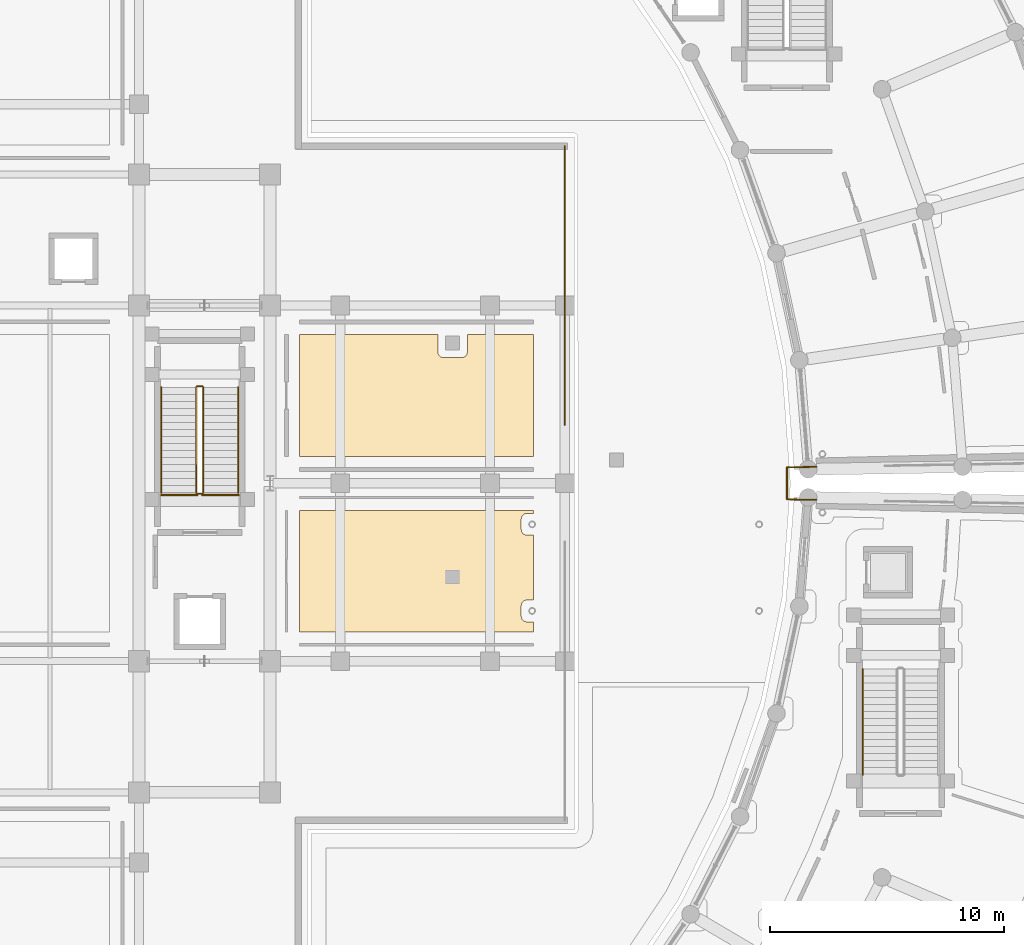
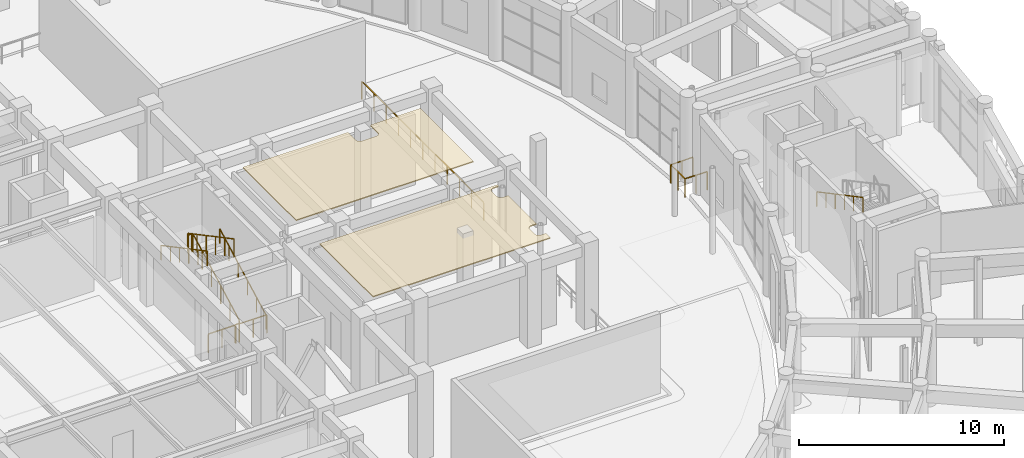
# One storey, part 92 of 99: 13 railings, 2 coverings.
"""IFC4 building model written with IfcOpenShell, lengths in metres."""

from ifc_helpers import new_model, si_unit, direction, frame, origin, origin_2d, place, context, subcontext, project, spatial, polyline, rectangle, outline, extrude, material, layer, layer_set, type_object, element, save


model = new_model("IFC4")

# Units and contexts
model_context = context("Model", 3, precision=1e-05, world=origin(), true_north=direction((0.0, 1.0)))
body_context = subcontext(model_context, "Body", "Model", "MODEL_VIEW")
ifc_project = project(units=[si_unit("LENGTHUNIT", "METRE"), si_unit("AREAUNIT", "SQUARE_METRE"), si_unit("VOLUMEUNIT", "CUBIC_METRE"), si_unit("PLANEANGLEUNIT", "RADIAN"), si_unit("MASSUNIT", "GRAM", prefix="KILO")], contexts=[model_context])

# Site, building, storey
site_placement = place(None, origin())
site = spatial("IfcSite", under=ifc_project, at=site_placement, CompositionType="ELEMENT")
building_placement = place(site_placement, origin())
building = spatial("IfcBuilding", under=site, at=building_placement, Name="Saryqyr Civic Hall", CompositionType="ELEMENT")
storey_placement = place(building_placement, origin())
storey = spatial("IfcBuildingStorey", under=building, at=storey_placement, Name="L00", CompositionType="ELEMENT", Elevation=0.0)

# Coverings
ifc_material_1 = material(Name="Mineral-fibre acoustic ceiling tile", Category="acoustic_tile")
ifc_layer_1 = layer(ifc_material_1, 0.06005859375, Name="Mineral-fibre acoustic ceiling tile")
ifc_layer_set_1 = layer_set([ifc_layer_1], Name="Mineral-fibre acoustic ceiling tile")
covering_type = type_object("IfcCoveringType", Name="INT-COV-CEIL-60", PredefinedType="CEILING", material=ifc_layer_set_1)
covering_1_placement = place(storey_placement, frame((0.0, 0.0, 4.760009765625)))
element("IfcCovering", 1, at=covering_1_placement, inside=storey, type_object=covering_type, Name="Acoustic ceiling Ground Floor Accessible MGN & Public WC V1", PredefinedType="CEILING", context=body_context, shape_type="SweptSolid", body=[
    extrude(outline(polyline([(81.18359375, 82.716552734375), (81.158935546875, 82.71533203125), (81.134765625, 82.711669921875), (81.11083984375, 82.705810546875), (81.087890625, 82.697509765625), (81.065673828125, 82.68701171875), (81.044677734375, 82.67431640625), (81.02490234375, 82.659912109375), (81.006591796875, 82.643310546875), (80.990234375, 82.625), (80.9755859375, 82.60546875), (80.962890625, 82.584228515625), (80.952392578125, 82.562255859375), (80.9443359375, 82.5390625), (80.938232421875, 82.515380859375), (80.934814453125, 82.490966796875), (80.93359375, 82.466552734375), (80.93359375, 82.033447265625), (80.934814453125, 82.009033203125), (80.938232421875, 81.984619140625), (80.9443359375, 81.9609375), (80.952392578125, 81.937744140625), (80.962890625, 81.915771484375), (80.9755859375, 81.89453125), (80.990234375, 81.875), (81.006591796875, 81.856689453125), (81.02490234375, 81.840087890625), (81.044677734375, 81.82568359375), (81.065673828125, 81.81298828125), (81.087890625, 81.802490234375), (81.11083984375, 81.794189453125), (81.134765625, 81.788330078125), (81.158935546875, 81.78466796875), (81.18359375, 81.783447265625), (81.449951171875, 81.783447265625), (81.449951171875, 79.0166015625), (81.18359375, 79.0166015625), (81.158935546875, 79.015380859375), (81.134765625, 79.01171875), (81.11083984375, 79.005615234375), (81.087890625, 78.99755859375), (81.065673828125, 78.987060546875), (81.044677734375, 78.974365234375), (81.02490234375, 78.959716796875), (81.006591796875, 78.943359375), (80.990234375, 78.925048828125), (80.9755859375, 78.905517578125), (80.962890625, 78.88427734375), (80.952392578125, 78.8623046875), (80.9443359375, 78.839111328125), (80.938232421875, 78.815185546875), (80.934814453125, 78.791015625), (80.93359375, 78.7666015625), (80.93359375, 78.33349609375), (80.934814453125, 78.30908203125), (80.938232421875, 78.28466796875), (80.9443359375, 78.260986328125), (80.952392578125, 78.23779296875), (80.962890625, 78.2158203125), (80.9755859375, 78.194580078125), (80.990234375, 78.1748046875), (81.006591796875, 78.15673828125), (81.02490234375, 78.14013671875), (81.044677734375, 78.12548828125), (81.065673828125, 78.113037109375), (81.087890625, 78.1025390625), (81.11083984375, 78.09423828125), (81.134765625, 78.08837890625), (81.158935546875, 78.084716796875), (81.18359375, 78.08349609375), (81.449951171875, 78.08349609375), (81.449951171875, 77.64990234375), (71.449951171875, 77.64990234375), (71.449951171875, 82.85009765625), (81.449951171875, 82.85009765625), (81.449951171875, 82.716552734375), (81.18359375, 82.716552734375)])), origin(), (0.0, 0.0, 1.0), 0.06005859375),
])
covering_2_placement = place(storey_placement, frame((0.0, 0.0, 4.760009765625)))
element("IfcCovering", 2, at=covering_2_placement, inside=storey, type_object=covering_type, Name="Acoustic ceiling First-Aid & Parent-Child Welfare Room", PredefinedType="CEILING", context=body_context, shape_type="SweptSolid", body=[
    extrude(outline(polyline([(77.37109375, 89.595458984375), (77.374755859375, 89.5712890625), (77.380859375, 89.54736328125), (77.388916015625, 89.5244140625), (77.3994140625, 89.502197265625), (77.412109375, 89.481201171875), (77.4267578125, 89.46142578125), (77.443115234375, 89.443115234375), (77.46142578125, 89.4267578125), (77.481201171875, 89.412109375), (77.502197265625, 89.3994140625), (77.5244140625, 89.388916015625), (77.54736328125, 89.380859375), (77.5712890625, 89.374755859375), (77.595458984375, 89.37109375), (77.6201171875, 89.3701171875), (78.3798828125, 89.3701171875), (78.404541015625, 89.37109375), (78.4287109375, 89.374755859375), (78.45263671875, 89.380859375), (78.4755859375, 89.388916015625), (78.497802734375, 89.3994140625), (78.518798828125, 89.412109375), (78.53857421875, 89.4267578125), (78.556884765625, 89.443115234375), (78.5732421875, 89.46142578125), (78.587890625, 89.481201171875), (78.6005859375, 89.502197265625), (78.611083984375, 89.5244140625), (78.619140625, 89.54736328125), (78.625244140625, 89.5712890625), (78.62890625, 89.595458984375), (78.6298828125, 89.6201171875), (78.6298828125, 90.35009765625), (81.449951171875, 90.35009765625), (81.449951171875, 85.14990234375), (71.449951171875, 85.14990234375), (71.449951171875, 90.35009765625), (77.3701171875, 90.35009765625), (77.3701171875, 89.6201171875), (77.37109375, 89.595458984375)])), origin(), (0.0, 0.0, 1.0), 0.06005859375),
])

# Railings
ifc_material_2 = material(Name="Warm brushed brass and laminated glass", Category="glass")
ifc_layer_2 = layer(ifc_material_2, 0.06005859375, Name="Warm brushed brass and laminated glass")
ifc_layer_set_2 = layer_set([ifc_layer_2], Name="Warm brushed brass and laminated glass")
railing_type_1 = type_object("IfcRailingType", Name="INT-RLG-BAL-1100", PredefinedType="BALUSTRADE", material=ifc_layer_set_2)
railing_1_placement = place(storey_placement, frame((82.800048828125, 86.5, 0.0)))
element("IfcRailing", 3, at=railing_1_placement, inside=storey, type_object=railing_type_1, Name="Perimeter safety balustrade V1-JNTGB-L00-08-G01", PredefinedType="BALUSTRADE", context=body_context, shape_type="SweptSolid", body=[
    extrude(rectangle(XDim=0.048095703125, YDim=0.048095703125, at=origin_2d()), frame((0.0, 0.0, 1.076171875), z_axis=(0.0, 1.0, 0.0), x_axis=(-1.0, 0.0, 0.0)), (0.0, 0.0, 1.0), 11.89990234375),
    extrude(rectangle(XDim=0.0419921875, YDim=0.0419921875, at=origin_2d()), origin(), (0.0, 0.0, 1.0), 1.052001953125),
    extrude(rectangle(XDim=0.0419921875, YDim=0.0419921875, at=origin_2d()), frame((0.0, 1.18994140625, 0.0)), (0.0, 0.0, 1.0), 1.052001953125),
    extrude(rectangle(XDim=0.0419921875, YDim=0.0419921875, at=origin_2d()), frame((0.0, 2.3798828125, 0.0)), (0.0, 0.0, 1.0), 1.052001953125),
    extrude(rectangle(XDim=0.0419921875, YDim=0.0419921875, at=origin_2d()), frame((0.0, 3.570068359375, 0.0)), (0.0, 0.0, 1.0), 1.052001953125),
    extrude(rectangle(XDim=0.0419921875, YDim=0.0419921875, at=origin_2d()), frame((0.0, 4.760009765625, 0.0)), (0.0, 0.0, 1.0), 1.052001953125),
    extrude(rectangle(XDim=0.0419921875, YDim=0.0419921875, at=origin_2d()), frame((0.0, 5.949951171875, 0.0)), (0.0, 0.0, 1.0), 1.052001953125),
    extrude(rectangle(XDim=0.0419921875, YDim=0.0419921875, at=origin_2d()), frame((0.0, 7.139892578125, 0.0)), (0.0, 0.0, 1.0), 1.052001953125),
    extrude(rectangle(XDim=0.0419921875, YDim=0.0419921875, at=origin_2d()), frame((0.0, 8.329833984375, 0.0)), (0.0, 0.0, 1.0), 1.052001953125),
    extrude(rectangle(XDim=0.0419921875, YDim=0.0419921875, at=origin_2d()), frame((0.0, 9.52001953125, 0.0)), (0.0, 0.0, 1.0), 1.052001953125),
    extrude(rectangle(XDim=0.0419921875, YDim=0.0419921875, at=origin_2d()), frame((0.0, 10.7099609375, 0.0)), (0.0, 0.0, 1.0), 1.052001953125),
    extrude(rectangle(XDim=0.0419921875, YDim=0.0419921875, at=origin_2d()), frame((0.0, 11.89990234375, 0.0)), (0.0, 0.0, 1.0), 1.052001953125),
])
railing_2_placement = place(storey_placement, frame((67.35009765625, 83.60009765625, 0.159423828125)))
element("IfcRailing", 4, at=railing_2_placement, inside=storey, type_object=railing_type_1, Name="L00 ST-2 stair guard 1", PredefinedType="BALUSTRADE", context=body_context, shape_type="SweptSolid", body=[
    extrude(rectangle(XDim=0.048095703125, YDim=0.048095703125, at=origin_2d()), frame((0.0, 0.0, 1.076171875), z_axis=(0.0, 0.883115719457, 0.469155225962), x_axis=(-1.0, 0.0, 0.0)), (0.0, 0.0, 1.0), 5.095703125),
    extrude(rectangle(XDim=0.0419921875, YDim=0.0419921875, at=origin_2d()), origin(), (0.0, 0.0, 1.0), 1.052001953125),
    extrude(rectangle(XDim=0.0419921875, YDim=0.0419921875, at=origin_2d()), frame((0.0, 0.89990234375, 0.47802734375)), (0.0, 0.0, 1.0), 1.052001953125),
    extrude(rectangle(XDim=0.0419921875, YDim=0.0419921875, at=origin_2d()), frame((0.0, 1.800048828125, 0.956298828125)), (0.0, 0.0, 1.0), 1.052001953125),
    extrude(rectangle(XDim=0.0419921875, YDim=0.0419921875, at=origin_2d()), frame((0.0, 2.699951171875, 1.434326171875)), (0.0, 0.0, 1.0), 1.052001953125),
    extrude(rectangle(XDim=0.0419921875, YDim=0.0419921875, at=origin_2d()), frame((0.0, 3.60009765625, 1.91259765625)), (0.0, 0.0, 1.0), 1.052001953125),
    extrude(rectangle(XDim=0.0419921875, YDim=0.0419921875, at=origin_2d()), frame((0.0, 4.5, 2.390625)), (0.0, 0.0, 1.0), 1.052001953125),
])
railing_3_placement = place(storey_placement, frame((67.300048828125, 88.14990234375, 2.550048828125)))
element("IfcRailing", 5, at=railing_3_placement, inside=storey, type_object=railing_type_1, Name="L00 ST-2 stair guard 2", PredefinedType="BALUSTRADE", context=body_context, shape_type="SweptSolid", body=[
    extrude(rectangle(XDim=0.048095703125, YDim=0.048095703125, at=origin_2d()), frame((0.0, 0.0, 1.076171875), z_axis=(-1.0, 0.0, 0.0), x_axis=(0.0, -1.0, 0.0)), (0.0, 0.0, 1.0), 0.199951171875),
    extrude(rectangle(XDim=0.0419921875, YDim=0.0419921875, at=origin_2d()), origin(), (0.0, 0.0, 1.0), 1.052001953125),
    extrude(rectangle(XDim=0.0419921875, YDim=0.0419921875, at=origin_2d()), frame((-0.199951171875, 0.0, 0.0)), (0.0, 0.0, 1.0), 1.052001953125),
])
railing_4_placement = place(storey_placement, frame((67.050048828125, 88.10009765625, 2.70947265625)))
element("IfcRailing", 6, at=railing_4_placement, inside=storey, type_object=railing_type_1, Name="L00 ST-2 stair guard 3", PredefinedType="BALUSTRADE", context=body_context, shape_type="SweptSolid", body=[
    extrude(rectangle(XDim=0.048095703125, YDim=0.048095703125, at=origin_2d()), frame((0.0, 0.0, 1.076171875), z_axis=(0.0, -0.883115719457, 0.469155225962), x_axis=(1.0, 0.0, 0.0)), (0.0, 0.0, 1.0), 5.095703125),
    extrude(rectangle(XDim=0.0419921875, YDim=0.0419921875, at=origin_2d()), origin(), (0.0, 0.0, 1.0), 1.052001953125),
    extrude(rectangle(XDim=0.0419921875, YDim=0.0419921875, at=origin_2d()), frame((0.0, -0.89990234375, 0.47802734375)), (0.0, 0.0, 1.0), 1.052001953125),
    extrude(rectangle(XDim=0.0419921875, YDim=0.0419921875, at=origin_2d()), frame((0.0, -1.800048828125, 0.956298828125)), (0.0, 0.0, 1.0), 1.052001953125),
    extrude(rectangle(XDim=0.0419921875, YDim=0.0419921875, at=origin_2d()), frame((0.0, -2.699951171875, 1.434326171875)), (0.0, 0.0, 1.0), 1.052001953125),
    extrude(rectangle(XDim=0.0419921875, YDim=0.0419921875, at=origin_2d()), frame((0.0, -3.60009765625, 1.91259765625)), (0.0, 0.0, 1.0), 1.052001953125),
    extrude(rectangle(XDim=0.0419921875, YDim=0.0419921875, at=origin_2d()), frame((0.0, -4.5, 2.390625)), (0.0, 0.0, 1.0), 1.052001953125),
])
railing_5_placement = place(storey_placement, frame((67.300048828125, 83.550048828125, 0.0)))
element("IfcRailing", 7, at=railing_5_placement, inside=storey, type_object=railing_type_1, Name="L00 ST-2 stair guard 4", PredefinedType="BALUSTRADE", context=body_context, shape_type="SweptSolid", body=[
    extrude(rectangle(XDim=0.048095703125, YDim=0.048095703125, at=origin_2d()), frame((0.0, 0.0, 1.076171875), z_axis=(-1.0, 0.0, 0.0), x_axis=(0.0, -1.0, 0.0)), (0.0, 0.0, 1.0), 0.199951171875),
    extrude(rectangle(XDim=0.0419921875, YDim=0.0419921875, at=origin_2d()), origin(), (0.0, 0.0, 1.0), 1.052001953125),
    extrude(rectangle(XDim=0.0419921875, YDim=0.0419921875, at=origin_2d()), frame((-0.199951171875, 0.0, 0.0)), (0.0, 0.0, 1.0), 1.052001953125),
])
railing_6_placement = place(storey_placement, frame((93.543701171875, 84.705810546875, 0.0)))
element("IfcRailing", 8, at=railing_6_placement, inside=storey, type_object=railing_type_1, Name="Interior deck safety balustrade L00-026", PredefinedType="BALUSTRADE", context=body_context, shape_type="SweptSolid", body=[
    extrude(rectangle(XDim=0.048095703125, YDim=0.048095703125, at=origin_2d()), frame((0.0, 0.0, 1.09619140625), z_axis=(-0.999866177338, -0.016359321951, 0.0), x_axis=(0.016359321951, -0.999866177338, 0.0)), (0.0, 0.0, 1.0), 1.253662109375),
    extrude(rectangle(XDim=0.0419921875, YDim=0.0419921875, at=origin_2d()), origin(), (0.0, 0.0, 1.0), 1.072021484375),
    extrude(rectangle(XDim=0.0419921875, YDim=0.0419921875, at=origin_2d()), frame((-0.626708984375, -0.01025390625, 0.0)), (0.0, 0.0, 1.0), 1.072021484375),
    extrude(rectangle(XDim=0.0419921875, YDim=0.0419921875, at=origin_2d()), frame((-1.25341796875, -0.0205078125, 0.0)), (0.0, 0.0, 1.0), 1.072021484375),
])
railing_7_placement = place(storey_placement, frame((92.290283203125, 84.685302734375, 0.0)))
element("IfcRailing", 9, at=railing_7_placement, inside=storey, type_object=railing_type_1, Name="Interior deck safety balustrade L00-027", PredefinedType="BALUSTRADE", context=body_context, shape_type="SweptSolid", body=[
    extrude(rectangle(XDim=0.048095703125, YDim=0.048095703125, at=origin_2d()), frame((0.0, 0.0, 1.09619140625), z_axis=(0.00017812611, -0.999999984136, 0.0), x_axis=(0.999999984136, 0.00017812611, 0.0)), (0.0, 0.0, 1.0), 1.37060546875),
    extrude(rectangle(XDim=0.0419921875, YDim=0.0419921875, at=origin_2d()), origin(), (0.0, 0.0, 1.0), 1.072021484375),
    extrude(rectangle(XDim=0.0419921875, YDim=0.0419921875, at=origin_2d()), frame((0.0, -0.685302734375, 0.0)), (0.0, 0.0, 1.0), 1.072021484375),
    extrude(rectangle(XDim=0.0419921875, YDim=0.0419921875, at=origin_2d()), frame((0.000244140625, -1.37060546875, 0.0)), (0.0, 0.0, 1.0), 1.072021484375),
])
railing_8_placement = place(storey_placement, frame((92.29052734375, 83.314697265625, 0.0)))
element("IfcRailing", 10, at=railing_8_placement, inside=storey, type_object=railing_type_1, Name="Interior deck safety balustrade L00-028", PredefinedType="BALUSTRADE", context=body_context, shape_type="SweptSolid", body=[
    extrude(rectangle(XDim=0.048095703125, YDim=0.048095703125, at=origin_2d()), frame((0.0, 0.0, 1.09619140625), z_axis=(0.999866125202, -0.016362508186, 0.0), x_axis=(0.016362508186, 0.999866125202, 0.0)), (0.0, 0.0, 1.0), 1.25341796875),
    extrude(rectangle(XDim=0.0419921875, YDim=0.0419921875, at=origin_2d()), origin(), (0.0, 0.0, 1.0), 1.072021484375),
    extrude(rectangle(XDim=0.0419921875, YDim=0.0419921875, at=origin_2d()), frame((0.62646484375, -0.01025390625, 0.0)), (0.0, 0.0, 1.0), 1.072021484375),
    extrude(rectangle(XDim=0.0419921875, YDim=0.0419921875, at=origin_2d()), frame((1.253173828125, -0.0205078125, 0.0)), (0.0, 0.0, 1.0), 1.072021484375),
])
railing_9_placement = place(storey_placement, frame((65.544921875, 83.5, 0.0)))
element("IfcRailing", 11, at=railing_9_placement, inside=storey, type_object=railing_type_1, Name="Interior deck safety balustrade L00-064", PredefinedType="BALUSTRADE", context=body_context, shape_type="SweptSolid", body=[
    extrude(rectangle(XDim=0.048095703125, YDim=0.048095703125, at=origin_2d()), frame((0.0, 0.0, 1.09619140625), z_axis=(1.0, 0.0, 0.0), x_axis=(0.0, 1.0, 0.0)), (0.0, 0.0, 1.0), 1.55517578125),
    extrude(rectangle(XDim=0.0419921875, YDim=0.0419921875, at=origin_2d()), origin(), (0.0, 0.0, 1.0), 1.072021484375),
    extrude(rectangle(XDim=0.0419921875, YDim=0.0419921875, at=origin_2d()), frame((0.777587890625, 0.0, 0.0)), (0.0, 0.0, 1.0), 1.072021484375),
    extrude(rectangle(XDim=0.0419921875, YDim=0.0419921875, at=origin_2d()), frame((1.55517578125, 0.0, 0.0)), (0.0, 0.0, 1.0), 1.072021484375),
])
railing_10_placement = place(storey_placement, frame((67.300048828125, 83.5, 0.0)))
element("IfcRailing", 12, at=railing_10_placement, inside=storey, type_object=railing_type_1, Name="Interior deck safety balustrade L00-065", PredefinedType="BALUSTRADE", context=body_context, shape_type="SweptSolid", body=[
    extrude(rectangle(XDim=0.048095703125, YDim=0.048095703125, at=origin_2d()), frame((0.0, 0.0, 1.09619140625), z_axis=(1.0, 0.0, 0.0), x_axis=(0.0, 1.0, 0.0)), (0.0, 0.0, 1.0), 1.554931640625),
    extrude(rectangle(XDim=0.0419921875, YDim=0.0419921875, at=origin_2d()), origin(), (0.0, 0.0, 1.0), 1.072021484375),
    extrude(rectangle(XDim=0.0419921875, YDim=0.0419921875, at=origin_2d()), frame((0.77734375, 0.0, 0.0)), (0.0, 0.0, 1.0), 1.072021484375),
    extrude(rectangle(XDim=0.0419921875, YDim=0.0419921875, at=origin_2d()), frame((1.554931640625, 0.0, 0.0)), (0.0, 0.0, 1.0), 1.072021484375),
])
ifc_material_3 = material(Name="Stainless steel", Category="steel")
ifc_layer_3 = layer(ifc_material_3, 0.050048828125, Name="Stainless steel")
ifc_layer_set_3 = layer_set([ifc_layer_3], Name="Stainless steel")
railing_type_2 = type_object("IfcRailingType", Name="INT-RLG-HND-900", PredefinedType="HANDRAIL", material=ifc_layer_set_3)
railing_11_placement = place(storey_placement, frame((68.85009765625, 83.60009765625, 0.159423828125)))
element("IfcRailing", 13, at=railing_11_placement, inside=storey, type_object=railing_type_2, Name="L00 ST-2 stair handrail 1", PredefinedType="HANDRAIL", context=body_context, shape_type="SweptSolid", body=[
    extrude(rectangle(XDim=0.048095703125, YDim=0.048095703125, at=origin_2d()), frame((0.0, 0.0, 0.8759765625), z_axis=(0.0, 0.883115719457, 0.469155225962), x_axis=(-1.0, 0.0, 0.0)), (0.0, 0.0, 1.0), 5.095703125),
    extrude(rectangle(XDim=0.0419921875, YDim=0.0419921875, at=origin_2d()), origin(), (0.0, 0.0, 1.0), 0.851806640625),
    extrude(rectangle(XDim=0.0419921875, YDim=0.0419921875, at=origin_2d()), frame((0.0, 0.89990234375, 0.47802734375)), (0.0, 0.0, 1.0), 0.851806640625),
    extrude(rectangle(XDim=0.0419921875, YDim=0.0419921875, at=origin_2d()), frame((0.0, 1.800048828125, 0.956298828125)), (0.0, 0.0, 1.0), 0.851806640625),
    extrude(rectangle(XDim=0.0419921875, YDim=0.0419921875, at=origin_2d()), frame((0.0, 2.699951171875, 1.434326171875)), (0.0, 0.0, 1.0), 0.851806640625),
    extrude(rectangle(XDim=0.0419921875, YDim=0.0419921875, at=origin_2d()), frame((0.0, 3.60009765625, 1.91259765625)), (0.0, 0.0, 1.0), 0.851806640625),
    extrude(rectangle(XDim=0.0419921875, YDim=0.0419921875, at=origin_2d()), frame((0.0, 4.5, 2.390625)), (0.0, 0.0, 1.0), 0.851806640625),
])
for number, where, name in (
    (14, (65.550048828125, 88.10009765625, 2.70947265625), "L00 ST-2 stair handrail 2"),
    (15, (95.530029296875, 76.06005859375, 2.70947265625), "L00 ST-5 stair handrail 2"),
):
    element("IfcRailing", number, at=place(storey_placement, frame(where)), inside=storey, type_object=railing_type_2, Name=name, PredefinedType="HANDRAIL", context=body_context, shape_type="SweptSolid", body=[
        extrude(rectangle(XDim=0.048095703125, YDim=0.048095703125, at=origin_2d()), frame((0.0, 0.0, 0.8759765625), z_axis=(0.0, -0.883115719457, 0.469155225962), x_axis=(1.0, 0.0, 0.0)), (0.0, 0.0, 1.0), 5.095703125),
        extrude(rectangle(XDim=0.0419921875, YDim=0.0419921875, at=origin_2d()), origin(), (0.0, 0.0, 1.0), 0.851806640625),
        extrude(rectangle(XDim=0.0419921875, YDim=0.0419921875, at=origin_2d()), frame((0.0, -0.89990234375, 0.47802734375)), (0.0, 0.0, 1.0), 0.851806640625),
        extrude(rectangle(XDim=0.0419921875, YDim=0.0419921875, at=origin_2d()), frame((0.0, -1.800048828125, 0.956298828125)), (0.0, 0.0, 1.0), 0.851806640625),
        extrude(rectangle(XDim=0.0419921875, YDim=0.0419921875, at=origin_2d()), frame((0.0, -2.699951171875, 1.434326171875)), (0.0, 0.0, 1.0), 0.851806640625),
        extrude(rectangle(XDim=0.0419921875, YDim=0.0419921875, at=origin_2d()), frame((0.0, -3.60009765625, 1.91259765625)), (0.0, 0.0, 1.0), 0.851806640625),
        extrude(rectangle(XDim=0.0419921875, YDim=0.0419921875, at=origin_2d()), frame((0.0, -4.5, 2.390625)), (0.0, 0.0, 1.0), 0.851806640625),
    ])

save(model, "model.ifc")
